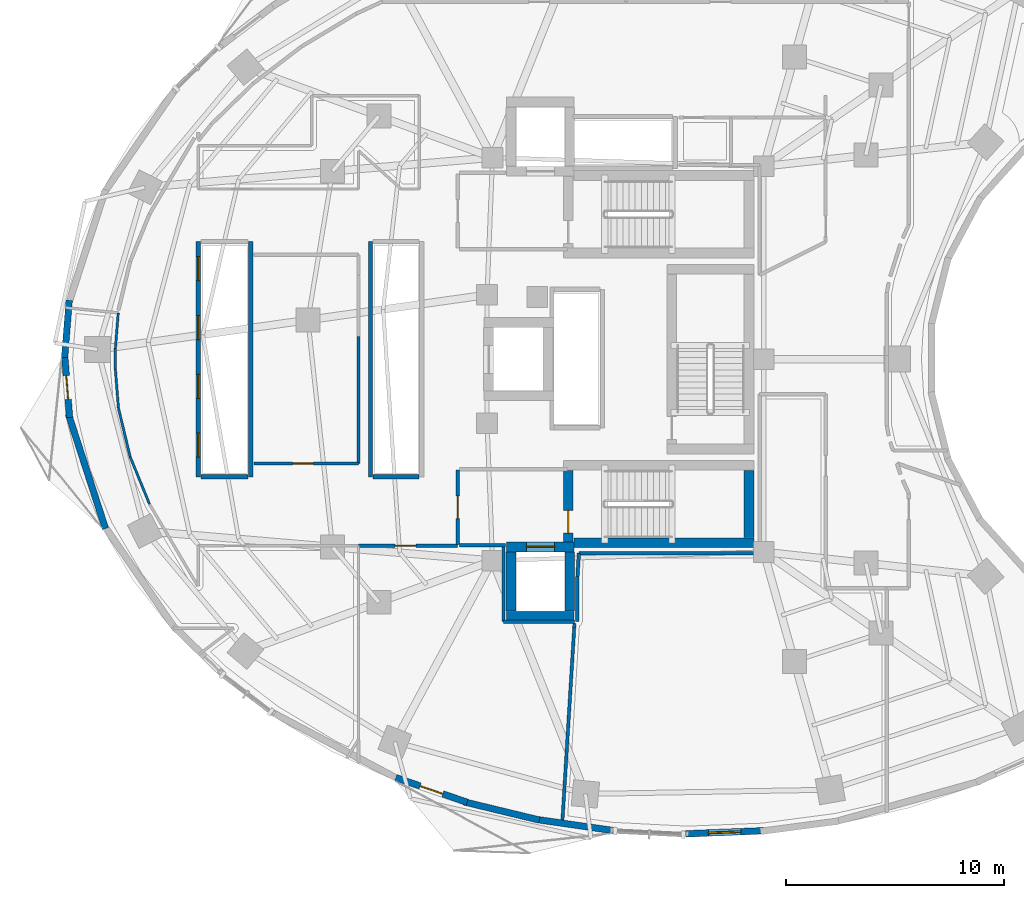
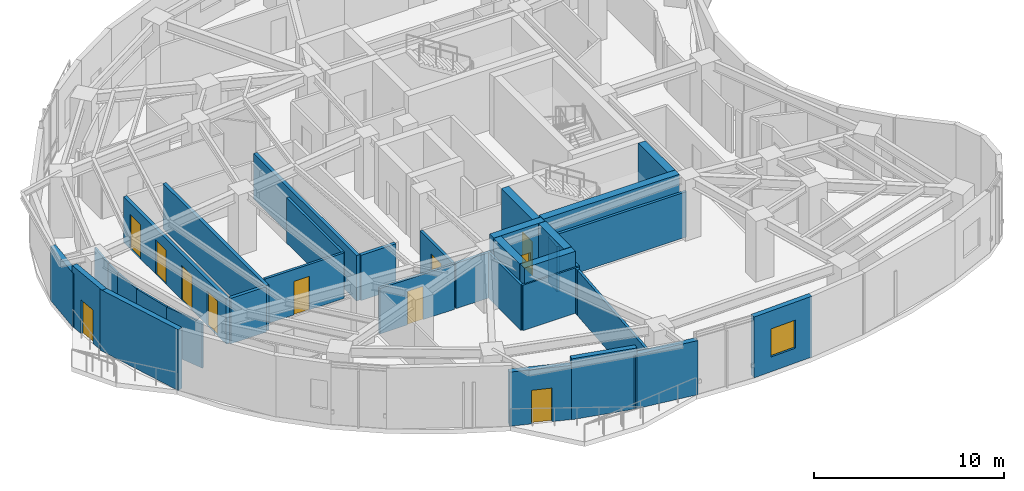
# One storey, part 7 of 13: 36 walls, 11 doors, 1 window, 12 openings.
"""IFC4 building model written with IfcOpenShell, lengths in metres."""

from ifc_helpers import new_model, si_unit, direction, frame, frame_2d, origin, place, context, subcontext, project, spatial, rectangle, extrude, material, layer, layer_set, type_object, element, fill, save


model = new_model("IFC4")

# Units and contexts
model_context = context("Model", 3, precision=1e-05, world=origin(), true_north=direction((0.0, 1.0)))
body_context = subcontext(model_context, "Body", "Model", "MODEL_VIEW")
ifc_project = project(units=[si_unit("LENGTHUNIT", "METRE"), si_unit("AREAUNIT", "SQUARE_METRE"), si_unit("VOLUMEUNIT", "CUBIC_METRE"), si_unit("PLANEANGLEUNIT", "RADIAN"), si_unit("MASSUNIT", "GRAM", prefix="KILO")], contexts=[model_context])

# Site, building, storey
site_placement = place(None, origin())
site = spatial("IfcSite", under=ifc_project, at=site_placement, CompositionType="ELEMENT")
building_placement = place(site_placement, origin())
building = spatial("IfcBuilding", under=site, at=building_placement, Name="Korentha Bioscience Tower", CompositionType="ELEMENT")
storey_placement = place(building_placement, frame((0.0, 0.0, 140.39990234375)))
storey = spatial("IfcBuildingStorey", under=building, at=storey_placement, Name="L32", CompositionType="ELEMENT", Elevation=140.39990234375)

# Wall, opening, door
ifc_material_1 = material(Name="Double-Stud Acoustic Gypsum", Category="gypsum")
ifc_layer_1 = layer(ifc_material_1, 0.14990234375, Name="Double-Stud Acoustic Gypsum")
ifc_layer_set_1 = layer_set([ifc_layer_1], Name="Double-Stud Acoustic Gypsum (IW-L150)")
wall_type_1 = type_object("IfcWallType", Name="Acoustic Laboratory Partition Wall 150", PredefinedType="PARTITIONING", material=ifc_layer_set_1)
wall_1_placement = place(storey_placement, frame((18.947998046875, 22.2099609375, 0.0), z_axis=(0.0, 0.0, 1.0), x_axis=(-1.0, 0.0, 0.0)))
wall_1 = element("IfcWall", 1, at=wall_1_placement, inside=storey, type_object=wall_type_1, Name="L32 Principal Investigator Office 01 Entrance Wall", PredefinedType="PARTITIONING", context=body_context, shape_type="SweptSolid", body=[
    extrude(rectangle(XDim=4.7880859375, YDim=0.14990234375, at=frame_2d((2.39404296875, 0.0))), origin(), (0.0, 0.0, 1.0), 2.91015625),
])
opening_1_placement = place(wall_1_placement, frame((2.073486328125, 0.0, 0.0)))
opening_1 = element("IfcOpeningElement", 2, at=opening_1_placement, cuts=wall_1, Name="Opening ID-10R", PredefinedType="OPENING", context=body_context, shape_type="SweptSolid", body=[
    extrude(rectangle(XDim=0.949951171875, YDim=2.14990234375, at=frame_2d((0.47509765625, 1.074951171875))), frame((0.0, 0.08984375, 0.0), z_axis=(0.0, -1.0, 0.0), x_axis=(1.0, 0.0, 0.0)), (0.0, 0.0, 1.0), 0.1796875),
])
ifc_material_2 = material(Name="Phenolic Laminate Timber Core", Category="wood")
door_type_1 = type_object("IfcDoorType", Name="Laboratory Single Leaf Door 950x2150 Right", OperationType="SINGLE_SWING_RIGHT", PredefinedType="DOOR", material=ifc_material_2)
door_1_placement = place(opening_1_placement, origin())
door_1 = element("IfcDoor", 3, at=door_1_placement, inside=storey, type_object=door_type_1, Name="L32 Principal Investigator Office 01 Door", OperationType="SINGLE_SWING_RIGHT", OverallHeight=2.14990234375, OverallWidth=0.949951171875, PredefinedType="DOOR", context=body_context, shape_type="SweptSolid", body=[
    extrude(rectangle(XDim=0.949951171875, YDim=2.14990234375, at=frame_2d((0.47509765625, 1.074951171875))), frame((0.0, 0.02490234375, 0.0), z_axis=(0.0, -1.0, 0.0), x_axis=(1.0, 0.0, 0.0)), (0.0, 0.0, 1.0), 0.050048828125),
])
fill(opening_1, door_1)

wall_2_placement = place(storey_placement, frame((18.9580078125, 18.43994140625, 0.0), z_axis=(0.0, 0.0, 1.0), x_axis=(1.0, 0.0, 0.0)))
wall_2 = element("IfcWall", 4, at=wall_2_placement, inside=storey, type_object=wall_type_1, Name="L32 Staff Pantry Kitchenette 03 Entrance Wall", PredefinedType="PARTITIONING", context=body_context, shape_type="SweptSolid", body=[
    extrude(rectangle(XDim=4.531982421875, YDim=0.14990234375, at=frame_2d((2.26611328125, 0.0))), origin(), (0.0, 0.0, 1.0), 2.91015625),
])
opening_2_placement = place(wall_2_placement, frame((1.672119140625, 0.0, 0.0)))
opening_2 = element("IfcOpeningElement", 5, at=opening_2_placement, cuts=wall_2, Name="Opening ID-10R", PredefinedType="OPENING", context=body_context, shape_type="SweptSolid", body=[
    extrude(rectangle(XDim=0.949951171875, YDim=2.14990234375, at=frame_2d((0.47509765625, 1.074951171875))), frame((0.0, 0.08984375, 0.0), z_axis=(0.0, -1.0, 0.0), x_axis=(1.0, 0.0, 0.0)), (0.0, 0.0, 1.0), 0.1796875),
])
door_2_placement = place(opening_2_placement, origin())
door_2 = element("IfcDoor", 6, at=door_2_placement, inside=storey, type_object=door_type_1, Name="L32 Staff Pantry Kitchenette 03 Door", OperationType="SINGLE_SWING_RIGHT", OverallHeight=2.14990234375, OverallWidth=0.949951171875, PredefinedType="DOOR", context=body_context, shape_type="SweptSolid", body=[
    extrude(rectangle(XDim=0.949951171875, YDim=2.14990234375, at=frame_2d((0.47509765625, 1.074951171875))), frame((0.0, 0.02490234375, 0.0), z_axis=(0.0, -1.0, 0.0), x_axis=(1.0, 0.0, 0.0)), (0.0, 0.0, 1.0), 0.050048828125),
])
fill(opening_2, door_2)

# Walls
wall_3_placement = place(storey_placement, frame((18.947998046875, 28.043212890625, 0.0), z_axis=(0.0, 0.0, 1.0), x_axis=(0.0, -1.0, 0.0)))
element("IfcWall", 7, at=wall_3_placement, inside=storey, type_object=wall_type_1, Name="L32 Interior Partition 017", PredefinedType="PARTITIONING", context=body_context, shape_type="SweptSolid", body=[
    extrude(rectangle(XDim=5.833251953125, YDim=0.14990234375, at=frame_2d((2.91650390625, 0.0))), origin(), (0.0, 0.0, 1.0), 2.91015625),
])
wall_4_placement = place(storey_placement, frame((25.60009765625, 18.435791015625, 0.0), z_axis=(0.0, 0.0, 1.0), x_axis=(0.0, -1.0, 0.0)))
element("IfcWall", 8, at=wall_4_placement, inside=storey, type_object=wall_type_1, Name="L32 Interior Partition 031", PredefinedType="PARTITIONING", context=body_context, shape_type="SweptSolid", body=[
    extrude(rectangle(XDim=3.481689453125, YDim=0.14990234375, at=frame_2d((1.74072265625, 0.0))), origin(), (0.0, 0.0, 1.0), 2.91015625),
])
wall_5_placement = place(storey_placement, frame((25.60400390625, 14.949951171875, 0.0), z_axis=(0.0, 0.0, 1.0), x_axis=(1.0, 0.0, 0.0)))
element("IfcWall", 9, at=wall_5_placement, inside=storey, type_object=wall_type_1, Name="L32 Interior Partition 032", PredefinedType="PARTITIONING", context=body_context, shape_type="SweptSolid", body=[
    extrude(rectangle(XDim=3.264404296875, YDim=0.14990234375, at=frame_2d((1.63232421875, 0.0))), origin(), (0.0, 0.0, 1.0), 2.91015625),
])
wall_6_placement = place(storey_placement, frame((28.864013671875, 14.8720703125, 0.0), z_axis=(0.0, 0.0, 1.0), x_axis=(-0.060929869836, -0.998142049491, 0.0)))
element("IfcWall", 10, at=wall_6_placement, inside=storey, type_object=wall_type_1, Name="L32 Interior Partition 033", PredefinedType="PARTITIONING", context=body_context, shape_type="SweptSolid", body=[
    extrude(rectangle(XDim=0.220458984375, YDim=0.14990234375, at=frame_2d((0.1103515625, 0.0))), origin(), (0.0, 0.0, 1.0), 2.91015625),
])
wall_7_placement = place(storey_placement, frame((28.85009765625, 14.647705078125, 0.0), z_axis=(0.0, 0.0, 1.0), x_axis=(-0.06105324167, -0.998134510816, 0.0)))
element("IfcWall", 11, at=wall_7_placement, inside=storey, type_object=wall_type_1, Name="L32 Interior Partition 034", PredefinedType="PARTITIONING", context=body_context, shape_type="SweptSolid", body=[
    extrude(rectangle(XDim=9.085205078125, YDim=0.14990234375, at=frame_2d((4.54248046875, 0.0))), origin(), (0.0, 0.0, 1.0), 2.91015625),
])
ifc_material_3 = material(Name="Fire-Rated Framed Glass", Category="glass")
ifc_layer_2 = layer(ifc_material_3, 0.110107421875, Name="Fire-Rated Framed Glass")
ifc_layer_set_2 = layer_set([ifc_layer_2], Name="Fire-Rated Framed Glass (IW-G110)")
wall_type_2 = type_object("IfcWallType", Name="Demountable Glazed Office Partition 110", PredefinedType="MOVABLE", material=ifc_layer_set_2)
wall_8_placement = place(storey_placement, frame((7.920166015625, 29.12451171875, 0.0), z_axis=(0.0, 0.0, 1.0), x_axis=(-0.079067162534, -0.996869291236, 0.0)))
element("IfcWall", 12, at=wall_8_placement, inside=storey, type_object=wall_type_2, Name="L32 Interior Partition 019", PredefinedType="MOVABLE", context=body_context, shape_type="SweptSolid", body=[
    extrude(rectangle(XDim=1.645751953125, YDim=0.110107421875, at=frame_2d((0.82275390625, 0.0))), origin(), (0.0, 0.0, 1.0), 2.91015625),
])
wall_9_placement = place(storey_placement, frame((7.7900390625, 27.48291015625, 0.0), z_axis=(0.0, 0.0, 1.0), x_axis=(0.0, -1.0, 0.0)))
element("IfcWall", 13, at=wall_9_placement, inside=storey, type_object=wall_type_2, Name="L32 Interior Partition 020", PredefinedType="MOVABLE", context=body_context, shape_type="SweptSolid", body=[
    extrude(rectangle(XDim=0.9658203125, YDim=0.110107421875, at=frame_2d((0.48291015625, 0.0))), origin(), (0.0, 0.0, 1.0), 2.91015625),
])
wall_10_placement = place(storey_placement, frame((7.7900390625, 26.51611328125, 0.0), z_axis=(0.0, 0.0, 1.0), x_axis=(0.079131522864, -0.996864184375, 0.0)))
element("IfcWall", 14, at=wall_10_placement, inside=storey, type_object=wall_type_2, Name="L32 Interior Partition 021", PredefinedType="MOVABLE", context=body_context, shape_type="SweptSolid", body=[
    extrude(rectangle(XDim=1.77099609375, YDim=0.110107421875, at=frame_2d((0.885498046875, 0.0))), origin(), (0.0, 0.0, 1.0), 2.91015625),
])
wall_11_placement = place(storey_placement, frame((7.930419921875, 24.749267578125, 0.0), z_axis=(0.0, 0.0, 1.0), x_axis=(0.233675196412, -0.972314713754, 0.0)))
element("IfcWall", 15, at=wall_11_placement, inside=storey, type_object=wall_type_2, Name="L32 Interior Partition 022", PredefinedType="MOVABLE", context=body_context, shape_type="SweptSolid", body=[
    extrude(rectangle(XDim=2.291259765625, YDim=0.110107421875, at=frame_2d((1.1455078125, 0.0))), origin(), (0.0, 0.0, 1.0), 2.91015625),
])
wall_12_placement = place(storey_placement, frame((8.46630859375, 22.520263671875, 0.0), z_axis=(0.0, 0.0, 1.0), x_axis=(0.378306283753, -0.925680482495, 0.0)))
element("IfcWall", 16, at=wall_12_placement, inside=storey, type_object=wall_type_2, Name="L32 Interior Partition 023", PredefinedType="MOVABLE", context=body_context, shape_type="SweptSolid", body=[
    extrude(rectangle(XDim=2.358154296875, YDim=0.110107421875, at=frame_2d((1.17919921875, 0.0))), origin(), (0.0, 0.0, 1.0), 2.91015625),
])

# Wall, opening, door
ifc_material_4 = material(Name="Gypsum-Clad Steel Stud", Category="steel")
ifc_layer_3 = layer(ifc_material_4, 0.159912109375, Name="Gypsum-Clad Steel Stud")
ifc_layer_set_3 = layer_set([ifc_layer_3], Name="Gypsum-Clad Steel Stud (IW-C160)")
wall_type_3 = type_object("IfcWallType", Name="Fire-Rated Corridor Partition Wall 160", PredefinedType="PARTITIONING", material=ifc_layer_set_3)
wall_13_placement = place(storey_placement, frame((23.5, 18.5, 0.0), z_axis=(0.0, 0.0, 1.0), x_axis=(0.0, 1.0, 0.0)))
wall_13 = element("IfcWall", 17, at=wall_13_placement, inside=storey, type_object=wall_type_3, Name="L32 FFLS-CW Rated Enclosure Wall", PredefinedType="PARTITIONING", context=body_context, shape_type="SweptSolid", body=[
    extrude(rectangle(XDim=3.39990234375, YDim=0.159912109375, at=frame_2d((1.699951171875, 0.0))), origin(), (0.0, 0.0, 1.0), 2.91015625),
])
opening_3_placement = place(wall_13_placement, frame((1.175048828125, 0.0, 0.0)))
opening_3 = element("IfcOpeningElement", 18, at=opening_3_placement, cuts=wall_13, Name="Opening FD-90L", PredefinedType="OPENING", context=body_context, shape_type="SweptSolid", body=[
    extrude(rectangle(XDim=1.050048828125, YDim=2.14990234375, at=frame_2d((0.52490234375, 1.074951171875))), frame((0.0, 0.0947265625, 0.0), z_axis=(0.0, -1.0, 0.0), x_axis=(1.0, 0.0, 0.0)), (0.0, 0.0, 1.0), 0.189697265625),
])
ifc_material_5 = material(Name="Powder-Coated Fire-Rated Steel", Category="steel")
door_type_2 = type_object("IfcDoorType", Name="Stairwell Fire Exit Door 1050x2150 Left", OperationType="SINGLE_SWING_LEFT", PredefinedType="DOOR", material=ifc_material_5)
door_3_placement = place(opening_3_placement, origin())
door_3 = element("IfcDoor", 19, at=door_3_placement, inside=storey, type_object=door_type_2, Name="L32 South Firefighting Lobby Door", OperationType="SINGLE_SWING_LEFT", OverallHeight=2.14990234375, OverallWidth=1.050048828125, PredefinedType="DOOR", context=body_context, shape_type="SweptSolid", body=[
    extrude(rectangle(XDim=1.050048828125, YDim=2.14990234375, at=frame_2d((0.52490234375, 1.074951171875))), frame((0.0, 0.02490234375, 0.0), z_axis=(0.0, -1.0, 0.0), x_axis=(1.0, 0.0, 0.0)), (0.0, 0.0, 1.0), 0.050048828125),
])
fill(opening_3, door_3)

# Walls
wall_14_placement = place(storey_placement, frame((23.580078125, 18.449951171875, 0.0), z_axis=(0.0, 0.0, 1.0), x_axis=(1.0, 0.0, 0.0)))
element("IfcWall", 20, at=wall_14_placement, inside=storey, type_object=wall_type_3, Name="L32 Firefighting Lobby Return Wall FFLS-S", PredefinedType="PARTITIONING", context=body_context, shape_type="SweptSolid", body=[
    extrude(rectangle(XDim=2.119873046875, YDim=0.159912109375, at=frame_2d((1.06005859375, 0.0))), origin(), (0.0, 0.0, 1.0), 2.91015625),
])
wall_15_placement = place(storey_placement, frame((29.0, 14.9541015625, 0.0), z_axis=(0.0, 0.0, 1.0), x_axis=(0.0, 1.0, 0.0)))
element("IfcWall", 21, at=wall_15_placement, inside=storey, type_object=wall_type_3, Name="L32 Interior Partition 036", PredefinedType="PARTITIONING", context=body_context, shape_type="SweptSolid", body=[
    extrude(rectangle(XDim=2.0771484375, YDim=0.159912109375, at=frame_2d((1.03857421875, 0.0))), origin(), (0.0, 0.0, 1.0), 2.91015625),
])
wall_16_placement = place(storey_placement, frame((29.0, 17.031494140625, 0.0), z_axis=(0.0, 0.0, 1.0), x_axis=(0.061002414414, 0.998137618485, 0.0)))
element("IfcWall", 22, at=wall_16_placement, inside=storey, type_object=wall_type_3, Name="L32 Interior Partition 037", PredefinedType="PARTITIONING", context=body_context, shape_type="SweptSolid", body=[
    extrude(rectangle(XDim=1.060546875, YDim=0.159912109375, at=frame_2d((0.5302734375, 0.0))), origin(), (0.0, 0.0, 1.0), 2.91015625),
])
wall_17_placement = place(storey_placement, frame((29.064697265625, 18.090087890625, 0.0), z_axis=(0.0, 0.0, 1.0), x_axis=(1.0, 0.0, 0.0)))
element("IfcWall", 23, at=wall_17_placement, inside=storey, type_object=wall_type_3, Name="L32 Interior Partition 038", PredefinedType="PARTITIONING", context=body_context, shape_type="SweptSolid", body=[
    extrude(rectangle(XDim=8.285400390625, YDim=0.159912109375, at=frame_2d((4.142578125, 0.0))), origin(), (0.0, 0.0, 1.0), 2.91015625),
])

# Wall, opening, door
ifc_material_6 = material(Name="Honed Limestone Precast Concrete C40", Category="masonry")
ifc_layer_4 = layer(ifc_material_6, 0.300048828125, Name="Honed Limestone Precast Concrete C40")
ifc_layer_set_4 = layer_set([ifc_layer_4], Name="Honed Limestone Precast Concrete C40 (EW-ST300)")
wall_type_4 = type_object("IfcWallType", Name="Honed Limestone Cavity Spandrel Wall 300", PredefinedType="STANDARD", material=ifc_layer_set_4)
wall_18_placement = place(storey_placement, frame((5.46875, 27.072509765625, 0.0), z_axis=(0.0, 0.0, 1.0), x_axis=(0.079056321743, -0.996870151019, 0.0)))
wall_18 = element("IfcWall", 24, at=wall_18_placement, inside=storey, type_object=wall_type_4, Name="L32 Balcony Threshold Wall 02", PredefinedType="STANDARD", context=body_context, shape_type="SweptSolid", body=[
    extrude(rectangle(XDim=2.7607421875, YDim=0.300048828125, at=frame_2d((1.38037109375, 0.0))), origin(), (0.0, 0.0, 1.0), 3.900146484375),
])
opening_4_placement = place(wall_18_placement, frame((0.830322265625, 0.0, 0.0)))
opening_4 = element("IfcOpeningElement", 25, at=opening_4_placement, cuts=wall_18, Name="Opening BD-11R", PredefinedType="OPENING", context=body_context, shape_type="SweptSolid", body=[
    extrude(rectangle(XDim=1.10009765625, YDim=2.14990234375, at=frame_2d((0.550048828125, 1.074951171875))), frame((0.0, 0.1650390625, 0.0), z_axis=(0.0, -1.0, 0.0), x_axis=(1.0, 0.0, 0.0)), (0.0, 0.0, 1.0), 0.329833984375),
])
ifc_material_7 = material(Name="Thermally Broken Glazed Aluminium", Category="aluminium")
door_type_3 = type_object("IfcDoorType", Name="Balcony Terrace Glazed Door 1100x2150 Right", OperationType="SINGLE_SWING_RIGHT", PredefinedType="DOOR", material=ifc_material_7)
door_4_placement = place(opening_4_placement, origin())
door_4 = element("IfcDoor", 26, at=door_4_placement, inside=storey, type_object=door_type_3, Name="L32 Balcony Access Door 02", OperationType="SINGLE_SWING_RIGHT", OverallHeight=2.14990234375, OverallWidth=1.10009765625, PredefinedType="DOOR", context=body_context, shape_type="SweptSolid", body=[
    extrude(rectangle(XDim=1.10009765625, YDim=2.14990234375, at=frame_2d((0.550048828125, 1.074951171875))), frame((0.0, 0.02490234375, 0.0), z_axis=(0.0, -1.0, 0.0), x_axis=(1.0, 0.0, 0.0)), (0.0, 0.0, 1.0), 0.050048828125),
])
fill(opening_4, door_4)

wall_19_placement = place(storey_placement, frame((20.662109375, 7.7919921875, 0.0), z_axis=(0.0, 0.0, 1.0), x_axis=(0.944878029854, -0.3274225232, 0.0)))
wall_19 = element("IfcWall", 27, at=wall_19_placement, inside=storey, type_object=wall_type_4, Name="L32 Balcony Threshold Wall 03", PredefinedType="STANDARD", context=body_context, shape_type="SweptSolid", body=[
    extrude(rectangle(XDim=3.46728515625, YDim=0.300048828125, at=frame_2d((1.733642578125, 0.0))), origin(), (0.0, 0.0, 1.0), 3.47021484375),
])
opening_5_placement = place(wall_19_placement, frame((1.18359375, 0.0, 0.0)))
opening_5 = element("IfcOpeningElement", 28, at=opening_5_placement, cuts=wall_19, Name="Opening BD-11L", PredefinedType="OPENING", context=body_context, shape_type="SweptSolid", body=[
    extrude(rectangle(XDim=1.10009765625, YDim=2.14990234375, at=frame_2d((0.550048828125, 1.074951171875))), frame((0.0, 0.1650390625, 0.0), z_axis=(0.0, -1.0, 0.0), x_axis=(1.0, 0.0, 0.0)), (0.0, 0.0, 1.0), 0.329833984375),
])
door_type_4 = type_object("IfcDoorType", Name="Balcony Terrace Glazed Door 1100x2150 Left", OperationType="SINGLE_SWING_LEFT", PredefinedType="DOOR", material=ifc_material_7)
door_5_placement = place(opening_5_placement, origin())
door_5 = element("IfcDoor", 29, at=door_5_placement, inside=storey, type_object=door_type_4, Name="L32 Balcony Access Door 03", OperationType="SINGLE_SWING_LEFT", OverallHeight=2.14990234375, OverallWidth=1.10009765625, PredefinedType="DOOR", context=body_context, shape_type="SweptSolid", body=[
    extrude(rectangle(XDim=1.10009765625, YDim=2.14990234375, at=frame_2d((0.550048828125, 1.074951171875))), frame((0.0, 0.02490234375, 0.0), z_axis=(0.0, -1.0, 0.0), x_axis=(1.0, 0.0, 0.0)), (0.0, 0.0, 1.0), 0.050048828125),
])
fill(opening_5, door_5)

# Wall, opening, window
wall_20_placement = place(storey_placement, frame((33.961181640625, 5.210205078125, 0.0), z_axis=(0.0, 0.0, 1.0), x_axis=(0.999210691503, 0.039723972445, 0.0)))
wall_20 = element("IfcWall", 30, at=wall_20_placement, inside=storey, type_object=wall_type_4, Name="L32 Honed Limestone Spandrel Wall 32", PredefinedType="STANDARD", context=body_context, shape_type="SweptSolid", body=[
    extrude(rectangle(XDim=3.595458984375, YDim=0.300048828125, at=frame_2d((1.7978515625, 0.0))), origin(), (0.0, 0.0, 1.0), 3.900146484375),
])
opening_6_placement = place(wall_20_placement, frame((1.047607421875, 0.0, 0.949951171875)))
opening_6 = element("IfcOpeningElement", 31, at=opening_6_placement, cuts=wall_20, Name="Opening WN-02", PredefinedType="OPENING", context=body_context, shape_type="SweptSolid", body=[
    extrude(rectangle(XDim=1.5, YDim=1.800048828125, at=frame_2d((0.75, 0.89990234375))), frame((0.0, 0.1650390625, 0.0), z_axis=(0.0, -1.0, 0.0), x_axis=(1.0, 0.0, 0.0)), (0.0, 0.0, 1.0), 0.329833984375),
])
ifc_material_8 = material(Name="Thermally Broken Aluminium Triple Glazing", Category="aluminium")
window_type = type_object("IfcWindowType", Name="Acoustic Operable Office Window 1500x1800", PartitioningType="DOUBLE_PANEL_VERTICAL", PredefinedType="WINDOW", material=ifc_material_8)
window_placement = place(opening_6_placement, origin())
window = element("IfcWindow", 32, at=window_placement, inside=storey, type_object=window_type, Name="L32 Facade Window 32", OverallHeight=1.800048828125, OverallWidth=1.5, PartitioningType="DOUBLE_PANEL_VERTICAL", PredefinedType="WINDOW", context=body_context, shape_type="SweptSolid", body=[
    extrude(rectangle(XDim=1.5, YDim=1.800048828125, at=frame_2d((0.75, 0.89990234375))), frame((0.0, 0.030029296875, 0.0), z_axis=(0.0, -1.0, 0.0), x_axis=(1.0, 0.0, 0.0)), (0.0, 0.0, 1.0), 0.06005859375),
])
fill(opening_6, window)

# Walls
wall_21_placement = place(storey_placement, frame((5.668701171875, 29.701171875, 0.0), z_axis=(0.0, 0.0, 1.0), x_axis=(-0.079062676622, -0.996869647028, 0.0)))
element("IfcWall", 33, at=wall_21_placement, inside=storey, type_object=wall_type_4, Name="L32 Limestone Perimeter Closure Wall 18", PredefinedType="STANDARD", context=body_context, shape_type="SweptSolid", body=[
    extrude(rectangle(XDim=2.80078125, YDim=0.300048828125, at=frame_2d((1.400390625, 0.0))), origin(), (0.0, 0.0, 1.0), 3.47021484375),
])
wall_22_placement = place(storey_placement, frame((5.631591796875, 24.48681640625, 0.0), z_axis=(0.0, 0.0, 1.0), x_axis=(0.307599470659, -0.951515930319, 0.0)))
element("IfcWall", 34, at=wall_22_placement, inside=storey, type_object=wall_type_4, Name="L32 Limestone Perimeter Closure Wall 20", PredefinedType="STANDARD", context=body_context, shape_type="SweptSolid", body=[
    extrude(rectangle(XDim=5.534423828125, YDim=0.300048828125, at=frame_2d((2.76708984375, 0.0))), origin(), (0.0, 0.0, 1.0), 3.900146484375),
])
wall_23_placement = place(storey_placement, frame((23.7841796875, 6.679931640625, 0.0), z_axis=(0.0, 0.0, 1.0), x_axis=(0.972043452321, -0.234801036625, 0.0)))
element("IfcWall", 35, at=wall_23_placement, inside=storey, type_object=wall_type_4, Name="L32 Limestone Perimeter Closure Wall 29", PredefinedType="STANDARD", context=body_context, shape_type="SweptSolid", body=[
    extrude(rectangle(XDim=3.568603515625, YDim=0.300048828125, at=frame_2d((1.7841796875, 0.0))), origin(), (0.0, 0.0, 1.0), 3.900146484375),
])
wall_24_placement = place(storey_placement, frame((27.083251953125, 5.874755859375, 0.0), z_axis=(0.0, 0.0, 1.0), x_axis=(0.989734732902, -0.142916613754, 0.0)))
element("IfcWall", 36, at=wall_24_placement, inside=storey, type_object=wall_type_4, Name="L32 Limestone Perimeter Closure Wall 30", PredefinedType="STANDARD", context=body_context, shape_type="SweptSolid", body=[
    extrude(rectangle(XDim=3.611328125, YDim=0.300048828125, at=frame_2d((1.8056640625, 0.0))), origin(), (0.0, 0.0, 1.0), 3.47021484375),
])

# Wall, openings, doors
ifc_material_9 = material(Name="Autoclaved Aerated Concrete Block C25", Category="concrete")
ifc_layer_5 = layer(ifc_material_9, 0.199951171875, Name="Autoclaved Aerated Concrete Block C25")
ifc_layer_set_5 = layer_set([ifc_layer_5], Name="Autoclaved Aerated Concrete Block C25 (IW-S200)")
wall_type_5 = type_object("IfcWallType", Name="Lift and Riser Shaft Enclosure Wall 200", PredefinedType="PARTITIONING", material=ifc_layer_set_5)
wall_25_placement = place(storey_placement, frame((11.60009765625, 21.60009765625, 0.0), z_axis=(0.0, 0.0, 1.0), x_axis=(0.0, 1.0, 0.0)))
wall_25 = element("IfcWall", 37, at=wall_25_placement, inside=storey, type_object=wall_type_5, Name="L32 Lift Bank LOW Shaft Wall -X", PredefinedType="PARTITIONING", context=body_context, shape_type="SweptSolid", body=[
    extrude(rectangle(XDim=10.7998046875, YDim=0.199951171875, at=frame_2d((5.39990234375, 0.0))), origin(), (0.0, 0.0, 1.0), 2.91015625),
])
opening_7_placement = place(wall_25_placement, frame((0.89990234375, 0.0, 0.0)))
opening_7 = element("IfcOpeningElement", 38, at=opening_7_placement, cuts=wall_25, Name="Opening LD-11", PredefinedType="OPENING", context=body_context, shape_type="SweptSolid", body=[
    extrude(rectangle(XDim=1.10009765625, YDim=2.199951171875, at=frame_2d((0.550048828125, 1.10009765625))), frame((0.0, 0.11474609375, 0.0), z_axis=(0.0, -1.0, 0.0), x_axis=(1.0, 0.0, 0.0)), (0.0, 0.0, 1.0), 0.229736328125),
])
opening_8_placement = place(wall_25_placement, frame((3.60009765625, 0.0, 0.0)))
opening_8 = element("IfcOpeningElement", 39, at=opening_8_placement, cuts=wall_25, Name="Opening LD-11", PredefinedType="OPENING", context=body_context, shape_type="SweptSolid", body=[
    extrude(rectangle(XDim=1.10009765625, YDim=2.199951171875, at=frame_2d((0.550048828125, 1.10009765625))), frame((0.0, 0.11474609375, 0.0), z_axis=(0.0, -1.0, 0.0), x_axis=(1.0, 0.0, 0.0)), (0.0, 0.0, 1.0), 0.229736328125),
])
opening_9_placement = place(wall_25_placement, frame((6.300048828125, 0.0, 0.0)))
opening_9 = element("IfcOpeningElement", 40, at=opening_9_placement, cuts=wall_25, Name="Opening LD-11", PredefinedType="OPENING", context=body_context, shape_type="SweptSolid", body=[
    extrude(rectangle(XDim=1.10009765625, YDim=2.199951171875, at=frame_2d((0.550048828125, 1.10009765625))), frame((0.0, 0.11474609375, 0.0), z_axis=(0.0, -1.0, 0.0), x_axis=(1.0, 0.0, 0.0)), (0.0, 0.0, 1.0), 0.229736328125),
])
opening_10_placement = place(wall_25_placement, frame((9.0, 0.0, 0.0)))
opening_10 = element("IfcOpeningElement", 41, at=opening_10_placement, cuts=wall_25, Name="Opening LD-11", PredefinedType="OPENING", context=body_context, shape_type="SweptSolid", body=[
    extrude(rectangle(XDim=1.10009765625, YDim=2.199951171875, at=frame_2d((0.550048828125, 1.10009765625))), frame((0.0, 0.11474609375, 0.0), z_axis=(0.0, -1.0, 0.0), x_axis=(1.0, 0.0, 0.0)), (0.0, 0.0, 1.0), 0.229736328125),
])
ifc_material_10 = material(Name="Brushed Stainless Steel 304", Category="steel")
door_type_5 = type_object("IfcDoorType", Name="Passenger Lift Sliding Landing Door 1100x2200", OperationType="DOUBLE_DOOR_SLIDING", PredefinedType="DOOR", material=ifc_material_10)
door_6_placement = place(opening_7_placement, origin())
door_6 = element("IfcDoor", 42, at=door_6_placement, inside=storey, type_object=door_type_5, Name="L32 PL-L1 Sliding Lift Landing Door", OperationType="DOUBLE_DOOR_SLIDING", OverallHeight=2.199951171875, OverallWidth=1.10009765625, PredefinedType="DOOR", context=body_context, shape_type="SweptSolid", body=[
    extrude(rectangle(XDim=1.10009765625, YDim=2.199951171875, at=frame_2d((0.550048828125, 1.10009765625))), frame((0.0, 0.02490234375, 0.0), z_axis=(0.0, -1.0, 0.0), x_axis=(1.0, 0.0, 0.0)), (0.0, 0.0, 1.0), 0.050048828125),
])
fill(opening_7, door_6)
door_7_placement = place(opening_8_placement, origin())
door_7 = element("IfcDoor", 43, at=door_7_placement, inside=storey, type_object=door_type_5, Name="L32 PL-L2 Sliding Lift Landing Door", OperationType="DOUBLE_DOOR_SLIDING", OverallHeight=2.199951171875, OverallWidth=1.10009765625, PredefinedType="DOOR", context=body_context, shape_type="SweptSolid", body=[
    extrude(rectangle(XDim=1.10009765625, YDim=2.199951171875, at=frame_2d((0.550048828125, 1.10009765625))), frame((0.0, 0.02490234375, 0.0), z_axis=(0.0, -1.0, 0.0), x_axis=(1.0, 0.0, 0.0)), (0.0, 0.0, 1.0), 0.050048828125),
])
fill(opening_8, door_7)
door_8_placement = place(opening_9_placement, origin())
door_8 = element("IfcDoor", 44, at=door_8_placement, inside=storey, type_object=door_type_5, Name="L32 PL-L3 Sliding Lift Landing Door", OperationType="DOUBLE_DOOR_SLIDING", OverallHeight=2.199951171875, OverallWidth=1.10009765625, PredefinedType="DOOR", context=body_context, shape_type="SweptSolid", body=[
    extrude(rectangle(XDim=1.10009765625, YDim=2.199951171875, at=frame_2d((0.550048828125, 1.10009765625))), frame((0.0, 0.02490234375, 0.0), z_axis=(0.0, -1.0, 0.0), x_axis=(1.0, 0.0, 0.0)), (0.0, 0.0, 1.0), 0.050048828125),
])
fill(opening_9, door_8)
door_9_placement = place(opening_10_placement, origin())
door_9 = element("IfcDoor", 45, at=door_9_placement, inside=storey, type_object=door_type_5, Name="L32 PL-L4 Sliding Lift Landing Door", OperationType="DOUBLE_DOOR_SLIDING", OverallHeight=2.199951171875, OverallWidth=1.10009765625, PredefinedType="DOOR", context=body_context, shape_type="SweptSolid", body=[
    extrude(rectangle(XDim=1.10009765625, YDim=2.199951171875, at=frame_2d((0.550048828125, 1.10009765625))), frame((0.0, 0.02490234375, 0.0), z_axis=(0.0, -1.0, 0.0), x_axis=(1.0, 0.0, 0.0)), (0.0, 0.0, 1.0), 0.050048828125),
])
fill(opening_10, door_9)

# Walls
wall_26_placement = place(storey_placement, frame((14.0, 21.60009765625, 0.0), z_axis=(0.0, 0.0, 1.0), x_axis=(0.0, 1.0, 0.0)))
element("IfcWall", 46, at=wall_26_placement, inside=storey, type_object=wall_type_5, Name="L32 Lift Bank LOW Shaft Wall +X", PredefinedType="PARTITIONING", context=body_context, shape_type="SweptSolid", body=[
    extrude(rectangle(XDim=10.7998046875, YDim=0.199951171875, at=frame_2d((5.39990234375, 0.0))), origin(), (0.0, 0.0, 1.0), 2.91015625),
])
wall_27_placement = place(storey_placement, frame((11.719970703125, 21.60009765625, 0.0), z_axis=(0.0, 0.0, 1.0), x_axis=(1.0, 0.0, 0.0)))
element("IfcWall", 47, at=wall_27_placement, inside=storey, type_object=wall_type_5, Name="L32 Lift Bank LOW Shaft Wall -Y", PredefinedType="PARTITIONING", context=body_context, shape_type="SweptSolid", body=[
    extrude(rectangle(XDim=2.159912109375, YDim=0.199951171875, at=frame_2d((1.080078125, 0.0))), origin(), (0.0, 0.0, 1.0), 2.91015625),
])
wall_28_placement = place(storey_placement, frame((19.5, 21.60009765625, 0.0), z_axis=(0.0, 0.0, 1.0), x_axis=(0.0, 1.0, 0.0)))
element("IfcWall", 48, at=wall_28_placement, inside=storey, type_object=wall_type_5, Name="L32 Lift Bank MID Shaft Wall -X", PredefinedType="PARTITIONING", context=body_context, shape_type="SweptSolid", body=[
    extrude(rectangle(XDim=10.7998046875, YDim=0.199951171875, at=frame_2d((5.39990234375, 0.0))), origin(), (0.0, 0.0, 1.0), 2.91015625),
])
wall_29_placement = place(storey_placement, frame((19.6201171875, 21.60009765625, 0.0), z_axis=(0.0, 0.0, 1.0), x_axis=(1.0, 0.0, 0.0)))
element("IfcWall", 49, at=wall_29_placement, inside=storey, type_object=wall_type_5, Name="L32 Lift Bank MID Shaft Wall -Y", PredefinedType="PARTITIONING", context=body_context, shape_type="SweptSolid", body=[
    extrude(rectangle(XDim=2.10986328125, YDim=0.199951171875, at=frame_2d((1.054931640625, 0.0))), origin(), (0.0, 0.0, 1.0), 2.91015625),
])
ifc_material_11 = material(Name="Concrete C80", Category="concrete")
ifc_layer_6 = layer(ifc_material_11, 0.449951171875, Name="Concrete C80")
ifc_layer_set_6 = layer_set([ifc_layer_6], Name="Concrete C80 (CW-C80)")
wall_type_6 = type_object("IfcWallType", Name="Lower Core Shear Wall 450", PredefinedType="SHEAR", material=ifc_layer_set_6)
wall_30_placement = place(storey_placement, frame((28.85205078125, 18.574951171875, 0.0), z_axis=(0.0, 0.0, 1.0), x_axis=(1.0, 0.0, 0.0)))
element("IfcWall", 50, at=wall_30_placement, inside=storey, type_object=wall_type_6, Name="L32 Core Shear Wall ST2-S", PredefinedType="SHEAR", context=body_context, shape_type="SweptSolid", body=[
    extrude(rectangle(XDim=8.248046875, YDim=0.449951171875, at=frame_2d((4.1240234375, 0.0))), origin(), (0.0, 0.0, 1.0), 3.900146484375),
])
wall_31_placement = place(storey_placement, frame((36.875, 18.81005859375, 0.0), z_axis=(0.0, 0.0, 1.0), x_axis=(0.0, 1.0, 0.0)))
element("IfcWall", 51, at=wall_31_placement, inside=storey, type_object=wall_type_6, Name="L32 Core Shear Wall ST2-E", PredefinedType="SHEAR", context=body_context, shape_type="SweptSolid", body=[
    extrude(rectangle(XDim=3.079833984375, YDim=0.449951171875, at=frame_2d((1.5400390625, 0.0))), origin(), (0.0, 0.0, 1.0), 3.900146484375),
])

# Wall, opening, door
wall_32_placement = place(storey_placement, frame((28.574951171875, 18.60693359375, 0.0), z_axis=(0.0, 0.0, 1.0), x_axis=(0.0, 1.0, 0.0)))
wall_32 = element("IfcWall", 52, at=wall_32_placement, inside=storey, type_object=wall_type_6, Name="L32 Core Shear Wall ST2-W", PredefinedType="SHEAR", context=body_context, shape_type="SweptSolid", body=[
    extrude(rectangle(XDim=3.282958984375, YDim=0.449951171875, at=frame_2d((1.6416015625, 0.0))), origin(), (0.0, 0.0, 1.0), 3.900146484375),
])
opening_11_placement = place(wall_32_placement, frame((0.403076171875, 0.0, 0.0)))
opening_11 = element("IfcOpeningElement", 53, at=opening_11_placement, cuts=wall_32, Name="Opening FD-90L", PredefinedType="OPENING", context=body_context, shape_type="SweptSolid", body=[
    extrude(rectangle(XDim=1.050048828125, YDim=2.14990234375, at=frame_2d((0.52490234375, 1.074951171875))), frame((0.0, 0.23974609375, 0.0), z_axis=(0.0, -1.0, 0.0), x_axis=(1.0, 0.0, 0.0)), (0.0, 0.0, 1.0), 0.479736328125),
])
door_10_placement = place(opening_11_placement, origin())
door_10 = element("IfcDoor", 54, at=door_10_placement, inside=storey, type_object=door_type_2, Name="L32 ST-2 Fire Exit Stair Door", OperationType="SINGLE_SWING_LEFT", OverallHeight=2.14990234375, OverallWidth=1.050048828125, PredefinedType="DOOR", context=body_context, shape_type="SweptSolid", body=[
    extrude(rectangle(XDim=1.050048828125, YDim=2.14990234375, at=frame_2d((0.52490234375, 1.074951171875))), frame((0.0, 0.02490234375, 0.0), z_axis=(0.0, -1.0, 0.0), x_axis=(1.0, 0.0, 0.0)), (0.0, 0.0, 1.0), 0.050048828125),
])
fill(opening_11, door_10)

# Wall
wall_33_placement = place(storey_placement, frame((25.75, 15.199951171875, 0.0), z_axis=(0.0, 0.0, 1.0), x_axis=(1.0, 0.0, 0.0)))
element("IfcWall", 55, at=wall_33_placement, inside=storey, type_object=wall_type_6, Name="L32 Core Shear Wall FFL1-S", PredefinedType="SHEAR", context=body_context, shape_type="SweptSolid", body=[
    extrude(rectangle(XDim=3.10009765625, YDim=0.449951171875, at=frame_2d((1.550048828125, 0.0))), origin(), (0.0, 0.0, 1.0), 3.900146484375),
])

# Wall, opening, door
wall_34_placement = place(storey_placement, frame((25.75, 18.3798828125, 0.0), z_axis=(0.0, 0.0, 1.0), x_axis=(1.0, 0.0, 0.0)))
wall_34 = element("IfcWall", 56, at=wall_34_placement, inside=storey, type_object=wall_type_6, Name="L32 Core Shear Wall FFL1-N", PredefinedType="SHEAR", context=body_context, shape_type="SweptSolid", body=[
    extrude(rectangle(XDim=3.10009765625, YDim=0.449951171875, at=frame_2d((1.550048828125, 0.0))), origin(), (0.0, 0.0, 1.0), 3.900146484375),
])
opening_12_placement = place(wall_34_placement, frame((0.89990234375, 0.0, 0.0)))
opening_12 = element("IfcOpeningElement", 57, at=opening_12_placement, cuts=wall_34, Name="Opening LD-13", PredefinedType="OPENING", context=body_context, shape_type="SweptSolid", body=[
    extrude(rectangle(XDim=1.300048828125, YDim=2.199951171875, at=frame_2d((0.64990234375, 1.10009765625))), frame((0.0, 0.23974609375, 0.0), z_axis=(0.0, -1.0, 0.0), x_axis=(1.0, 0.0, 0.0)), (0.0, 0.0, 1.0), 0.479736328125),
])
ifc_material_12 = material(Name="Brushed Stainless Steel 316", Category="steel")
door_type_6 = type_object("IfcDoorType", Name="Service & Firefighting Lift Landing Door 1300x2300", OperationType="DOUBLE_DOOR_SLIDING", PredefinedType="DOOR", material=ifc_material_12)
door_11_placement = place(opening_12_placement, origin())
door_11 = element("IfcDoor", 58, at=door_11_placement, inside=storey, type_object=door_type_6, Name="L32 FFL-1 Sliding Lift Landing Door", OperationType="DOUBLE_DOOR_SLIDING", OverallHeight=2.199951171875, OverallWidth=1.300048828125, PredefinedType="DOOR", context=body_context, shape_type="SweptSolid", body=[
    extrude(rectangle(XDim=1.300048828125, YDim=2.199951171875, at=frame_2d((0.64990234375, 1.10009765625))), frame((0.0, 0.02490234375, 0.0), z_axis=(0.0, -1.0, 0.0), x_axis=(1.0, 0.0, 0.0)), (0.0, 0.0, 1.0), 0.050048828125),
])
fill(opening_12, door_11)

# Walls
for number, where, z_axis, x_axis, name in (
    (59, (25.949951171875, 15.43994140625, 0.0), (0.0, 0.0, 1.0), (0.0, 1.0, 0.0), "L32 Core Shear Wall FFL1-W"),
    (60, (28.64990234375, 15.43994140625, 0.0), (0.0, 0.0, 1.0), (0.0, 1.0, 0.0), "L32 Core Shear Wall FFL1-E"),
):
    element("IfcWall", number, at=place(storey_placement, frame(where, z_axis=z_axis, x_axis=x_axis)), inside=storey, type_object=wall_type_6, Name=name, PredefinedType="SHEAR", context=body_context, shape_type="SweptSolid", body=[
        extrude(rectangle(XDim=2.699951171875, YDim=0.449951171875, at=frame_2d((1.35009765625, 0.0))), origin(), (0.0, 0.0, 1.0), 3.900146484375),
    ])

save(model, "model.ifc")
